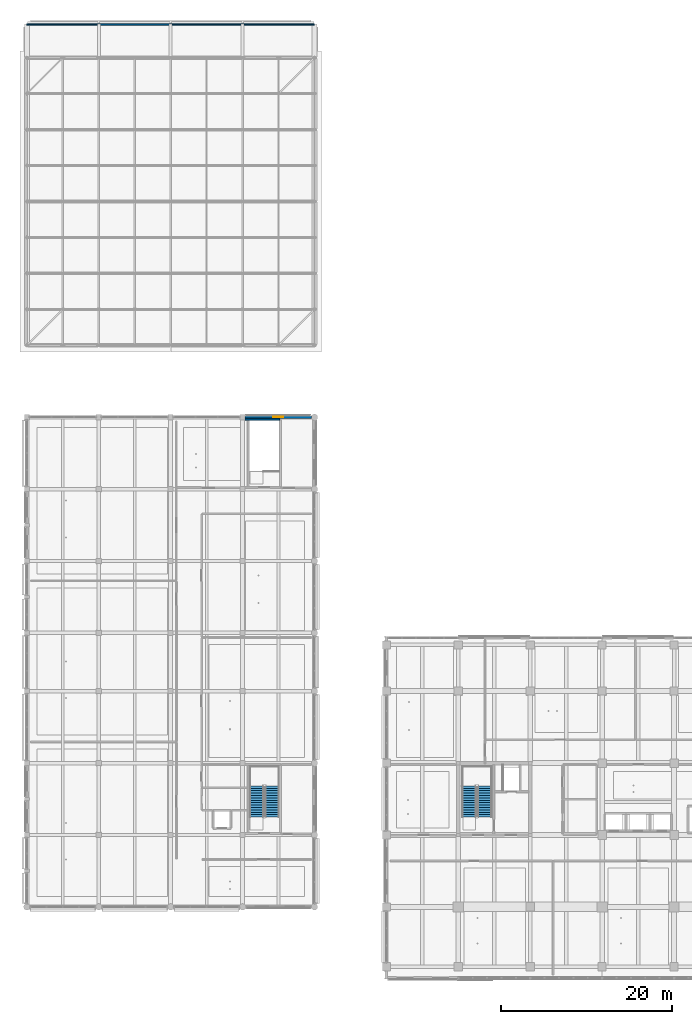
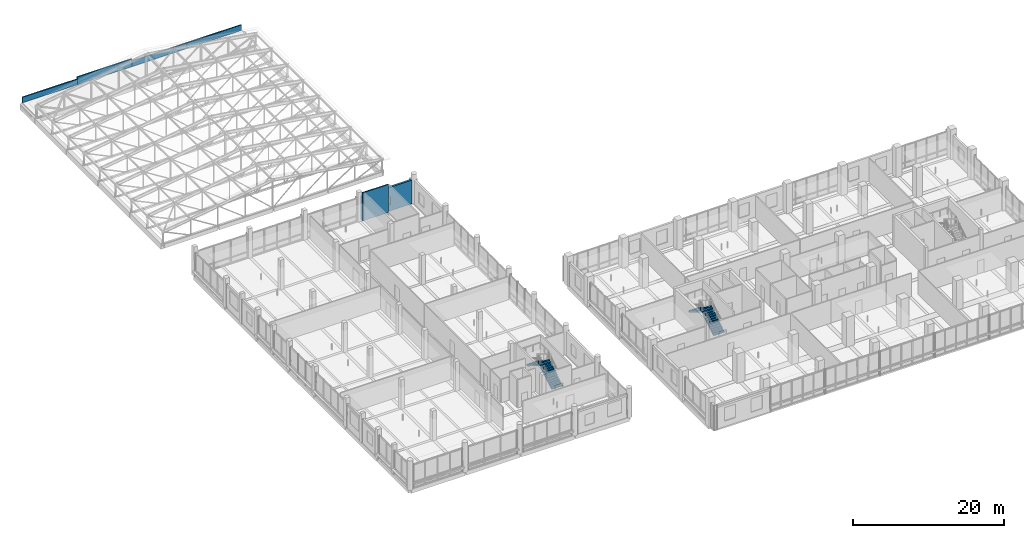
# One storey, part 58 of 122: 6 walls, 4 stair flights, 1 window, 1 opening, 2 elements without a shape of their own.
"""IFC4 building model written with IfcOpenShell, lengths in metres."""

import ifcopenshell
import ifcopenshell.guid

model = None  # the IFC model being written
_history = None  # IfcOwnerHistory: only IFC2X3 demands one
_inside = {}  # id of a spatial element -> (the spatial element, [elements in it])
_under = {}  # id of a project, library or spatial element -> (it, [spatial elements below it])
_declared = {}  # id of a project -> (the project, [libraries it declares])
_typed = {}  # id of a type object -> (the type object, [elements of that type])
_made_of = {}  # id of a material, layer set ... -> (it, [elements and type objects made of it])


def new_model(schema):
    """Start an empty IFC model of exactly this schema.

    Asked for "IFC4X3", IfcOpenShell would pick the latest addendum, in which some entities
    have other attributes; the version numbers below select the first issue.
    IFC2X3 requires an IfcOwnerHistory on every rooted entity: one is made here for all.
    """
    global model, _history
    if schema == "IFC4X3":
        model = ifcopenshell.file(schema_version=(4, 3, 0, 0))
    else:
        model = ifcopenshell.file(schema=schema)
    _inside.clear()
    _under.clear()
    _declared.clear()
    _typed.clear()
    _made_of.clear()
    _history = None
    if model.schema == "IFC2X3":
        org = make("IfcOrganization", Name="unknown")
        user = make(
            "IfcPersonAndOrganization",
            ThePerson=make("IfcPerson", FamilyName="unknown"),
            TheOrganization=org,
        )
        app = make(
            "IfcApplication",
            ApplicationDeveloper=org,
            Version="unknown",
            ApplicationFullName="unknown",
            ApplicationIdentifier="unknown",
        )
        _history = make(
            "IfcOwnerHistory",
            OwningUser=user,
            OwningApplication=app,
            ChangeAction="ADDED",
            CreationDate=0,
        )
    return model


def make(cls, **values):
    """One entity of the class cls with the attributes given. An attribute that is None is left unset."""
    return model.create_entity(
        cls, **{name: value for name, value in values.items() if value is not None}
    )


def rooted(cls, **values):
    """An entity with a GlobalId (a new one), such as an element, a storey or a relation."""
    return make(cls, GlobalId=ifcopenshell.guid.new(), OwnerHistory=_history, **values)


def si_unit(unit_type, name, prefix=None):
    """IfcSIUnit, for example si_unit("LENGTHUNIT", "METRE", prefix="MILLI")."""
    return make("IfcSIUnit", UnitType=unit_type, Prefix=prefix, Name=name)


def assignment(units):
    """IfcUnitAssignment: the units of a project."""
    return None if units is None else make("IfcUnitAssignment", Units=units)


def point(xyz):
    """IfcCartesianPoint."""
    return None if xyz is None else make("IfcCartesianPoint", Coordinates=xyz)


def direction(xyz):
    """IfcDirection."""
    return None if xyz is None else make("IfcDirection", DirectionRatios=xyz)


def frame(location, z_axis=None, x_axis=None):
    """IfcAxis2Placement3D, a coordinate frame: its origin and axes. An axis left out is left unset."""
    return make(
        "IfcAxis2Placement3D",
        Location=point(location),
        Axis=direction(z_axis),
        RefDirection=direction(x_axis),
    )


def frame_2d(location, x_axis=None):
    """IfcAxis2Placement2D, a coordinate frame in the plane: its origin and x axis."""
    return make(
        "IfcAxis2Placement2D", Location=point(location), RefDirection=direction(x_axis)
    )


def origin():
    """The frame at (0, 0, 0) with its axes left unset."""
    return frame((0.0, 0.0, 0.0))


def place(relative_to, where):
    """IfcLocalPlacement: puts the frame where relative to a parent placement (None: the world)."""
    return make(
        "IfcLocalPlacement", PlacementRelTo=relative_to, RelativePlacement=where
    )


def context(
    kind, dimensions, precision=None, world=None, true_north=None, identifier=None
):
    """IfcGeometricRepresentationContext, for example the 3D "Model" context."""
    return make(
        "IfcGeometricRepresentationContext",
        ContextIdentifier=identifier,
        ContextType=kind,
        CoordinateSpaceDimension=dimensions,
        Precision=precision,
        WorldCoordinateSystem=world,
        TrueNorth=true_north,
    )


def subcontext(parent, identifier, kind, view, scale=None):
    """IfcGeometricRepresentationSubContext, for example "Body" below "Model"."""
    return make(
        "IfcGeometricRepresentationSubContext",
        ContextIdentifier=identifier,
        ContextType=kind,
        ParentContext=parent,
        TargetScale=scale,
        TargetView=view,
    )


def project(units=None, contexts=None):
    """IfcProject with its units and contexts."""
    return rooted(
        "IfcProject",
        Name="project",
        RepresentationContexts=contexts,
        UnitsInContext=assignment(units),
    )


def spatial(cls, under=None, at=None, **own):
    """A site, building, storey or space (cls), placed at a placement, below another one or the project."""
    s = rooted(cls, ObjectPlacement=at, **own)
    if under is not None:
        _under.setdefault(under.id(), (under, []))[1].append(s)
    return s


def polyline(points):
    """IfcPolyline through the points."""
    return make("IfcPolyline", Points=[point(p) for p in points])


def profile(cls, at=None, kind="AREA", **sizes):
    """A parametric profile (cls). Its sizes go by their IFC names, for example OverallWidth=200.0."""
    return make(cls, ProfileType=kind, Position=at, **sizes)


def rectangle(**sizes):
    """IfcRectangleProfileDef."""
    return profile("IfcRectangleProfileDef", **sizes)


def outline(outer, holes=None, kind="AREA"):
    """IfcArbitraryClosedProfileDef: a profile drawn as a closed curve; with holes, ...WithVoids."""
    if holes is None:
        return make("IfcArbitraryClosedProfileDef", ProfileType=kind, OuterCurve=outer)
    return make(
        "IfcArbitraryProfileDefWithVoids",
        ProfileType=kind,
        OuterCurve=outer,
        InnerCurves=holes,
    )


def extrude(swept, where, along, depth):
    """IfcExtrudedAreaSolid: the profile swept, set in the frame where, extruded along a direction by depth."""
    return make(
        "IfcExtrudedAreaSolid",
        SweptArea=swept,
        Position=where,
        ExtrudedDirection=direction(along),
        Depth=depth,
    )


def shape(context_of_items, identifier, shape_type, items):
    """IfcShapeRepresentation: the items that make up one representation, for example the "Body"."""
    return make(
        "IfcShapeRepresentation",
        ContextOfItems=context_of_items,
        RepresentationIdentifier=identifier,
        RepresentationType=shape_type,
        Items=items,
    )


def material(Name=None, Category=None):
    """IfcMaterial."""
    return make("IfcMaterial", Name=Name, Category=Category)


def layer(
    of_material, thickness, ventilated=None, Name=None, Category=None, Priority=None
):
    """IfcMaterialLayer: one layer of a wall or slab, of a material (None: an air gap)."""
    return make(
        "IfcMaterialLayer",
        Material=of_material,
        LayerThickness=thickness,
        IsVentilated=ventilated,
        Name=Name,
        Category=Category,
        Priority=Priority,
    )


def layer_set(layers, Name=None):
    """IfcMaterialLayerSet."""
    return make("IfcMaterialLayerSet", MaterialLayers=layers, LayerSetName=Name)


def made_of(thing, what):
    """Note that an element or type object is made of a material, layer set ...; save() writes the relation."""
    if what is not None:
        _made_of.setdefault(what.id(), (what, []))[1].append(thing)
    return thing


def type_object(cls, material=None, **own):
    """A type object (cls), such as IfcWallType, which elements share."""
    return made_of(rooted(cls, **own), material)


def element(
    cls,
    number,
    at=None,
    inside=None,
    cuts=None,
    type_object=None,
    material=None,
    context=None,
    identifier="Body",
    shape_type=None,
    held_by="IfcProductDefinitionShape",
    body=None,
    shapes=None,
    **own,
):
    """One element of the class cls, such as IfcWall. Its Tag is "e" and its number.

    at: its placement. inside: the storey or other place that contains it. cuts: it is an
    opening in that element (IfcRelVoidsElement). A single representation is given by context,
    identifier, shape_type and body (its items); several are given by shapes. held_by: the class
    of the entity that holds the representations. save() writes the other relations.
    """
    e = rooted(cls, Tag="e%d" % number, ObjectPlacement=at, **own)
    if body is not None:
        shapes = [shape(context, identifier, shape_type, body)]
    if shapes is not None:
        e.Representation = make(held_by, Representations=shapes)
    if inside is not None:
        _inside.setdefault(inside.id(), (inside, []))[1].append(e)
    if cuts is not None:
        rooted(
            "IfcRelVoidsElement", RelatingBuildingElement=cuts, RelatedOpeningElement=e
        )
    if type_object is not None:
        _typed.setdefault(type_object.id(), (type_object, []))[1].append(e)
    return made_of(e, material)


def fill(opening, filler):
    """IfcRelFillsElement: the door or window that sits in an opening."""
    return rooted(
        "IfcRelFillsElement",
        RelatingOpeningElement=opening,
        RelatedBuildingElement=filler,
    )


def aggregate(whole, parts):
    """IfcRelAggregates: a whole, such as a stair, and the parts it consists of."""
    return rooted("IfcRelAggregates", RelatingObject=whole, RelatedObjects=parts)


def save(model, path):
    """Write the relations noted so far, then the file.

    IfcRelAggregates (storeys below a building ...), IfcRelContainedInSpatialStructure (elements
    in a storey), IfcRelDefinesByType, IfcRelAssociatesMaterial and IfcRelDeclares: one each for
    every whole, place, type object, material and project.
    """
    for whole, parts in _under.values():
        aggregate(whole, parts)
    for where, things in _inside.values():
        rooted(
            "IfcRelContainedInSpatialStructure",
            RelatedElements=things,
            RelatingStructure=where,
        )
    for kind, things in _typed.values():
        rooted("IfcRelDefinesByType", RelatedObjects=things, RelatingType=kind)
    for what, things in _made_of.values():
        rooted("IfcRelAssociatesMaterial", RelatedObjects=things, RelatingMaterial=what)
    for by, libraries in _declared.values():
        rooted("IfcRelDeclares", RelatingContext=by, RelatedDefinitions=libraries)
    model.write(path)


model = new_model("IFC4")

# Units and contexts
model_context = context("Model", 3, precision=1e-05, world=origin(), true_north=direction((0.0, 1.0)))
body_context = subcontext(model_context, "Body", "Model", "MODEL_VIEW")
ifc_project = project(units=[si_unit("LENGTHUNIT", "METRE"), si_unit("AREAUNIT", "SQUARE_METRE"), si_unit("VOLUMEUNIT", "CUBIC_METRE"), si_unit("PLANEANGLEUNIT", "RADIAN"), si_unit("MASSUNIT", "GRAM", prefix="KILO")], contexts=[model_context])

# Site, building, storey
site_placement = place(None, origin())
site = spatial("IfcSite", under=ifc_project, at=site_placement, CompositionType="ELEMENT")
building_placement = place(site_placement, origin())
building = spatial("IfcBuilding", under=site, at=building_placement, Name="Telukmera Botanical Conservatory", CompositionType="ELEMENT")
storey_placement = place(building_placement, frame((0.0, 0.0, 10.199951171875)))
storey = spatial("IfcBuildingStorey", under=building, at=storey_placement, Name="L02", CompositionType="ELEMENT", Elevation=10.199951171875)

# Wall, opening, window
ifc_material_1 = material(Name="Terracotta-faced precast concrete C40/50", Category="masonry")
ifc_layer_1 = layer(ifc_material_1, 0.300048828125)
ifc_layer_set_1 = layer_set([ifc_layer_1], Name="Terracotta-faced precast concrete C40/50")
wall_type_1 = type_object("IfcWallType", Name="Exterior Polychrome Terracotta Precast Wall 300", PredefinedType="SOLIDWALL", material=ifc_layer_set_1)
wall_1_placement = place(storey_placement, frame((33.902099609375, 74.800048828125, 0.0), z_axis=(0.0, 0.0, 1.0), x_axis=(1.0, 0.0, 0.0)))
wall_1 = element("IfcWall", 1, at=wall_1_placement, inside=storey, type_object=wall_type_1, Name="Exterior Precast Wall EW02 V3:L02:N4", PredefinedType="SOLIDWALL", context=body_context, shape_type="SweptSolid", body=[
    extrude(rectangle(XDim=7.720947265625, YDim=0.300048828125, at=frame_2d((3.8603515625, 0.0))), origin(), (0.0, 0.0, 1.0), 3.85009765625),
])
opening_placement = place(wall_1_placement, frame((3.260498046875, 0.0, 1.10009765625)))
opening = element("IfcOpeningElement", 2, at=opening_placement, cuts=wall_1, Name="Opening W03", PredefinedType="OPENING", context=body_context, shape_type="SweptSolid", body=[
    extrude(rectangle(XDim=1.199951171875, YDim=1.199951171875, at=frame_2d((0.60009765625, 0.60009765625))), frame((0.0, 0.159912109375, 0.0), z_axis=(0.0, -1.0, 0.0), x_axis=(1.0, 0.0, 0.0)), (0.0, 0.0, 1.0), 0.320068359375),
])
ifc_material_2 = material(Name="Thermally broken anodised aluminium frame with low-E double glazing", Category="aluminium")
window_type = type_object("IfcWindowType", Name="Postmodern Square Ocular Feature Window 1200x1200", PartitioningType="SINGLE_PANEL", PredefinedType="WINDOW", material=ifc_material_2)
window_placement = place(opening_placement, origin())
window = element("IfcWindow", 3, at=window_placement, inside=storey, type_object=window_type, Name="Facade Window W03 V3:L02:N4", OverallHeight=1.199951171875, OverallWidth=1.199951171875, PartitioningType="SINGLE_PANEL", PredefinedType="WINDOW", context=body_context, shape_type="SweptSolid", body=[
    extrude(rectangle(XDim=1.199951171875, YDim=1.199951171875, at=frame_2d((0.60009765625, 0.60009765625))), frame((0.0, 0.030029296875, 0.0), z_axis=(0.0, -1.0, 0.0), x_axis=(1.0, 0.0, 0.0)), (0.0, 0.0, 1.0), 0.06005859375),
])
fill(opening, window)

# Walls
ifc_layer_2 = layer(ifc_material_1, 0.179931640625)
ifc_layer_set_2 = layer_set([ifc_layer_2], Name="Terracotta-faced precast concrete C40/50")
wall_type_2 = type_object("IfcWallType", Name="Postmodern Polychrome Podium Parapet Wall 180", PredefinedType="PARAPET", material=ifc_layer_set_2)
wall_2_placement = place(storey_placement, frame((8.402099609375, 120.64990234375, 0.16015625), z_axis=(0.0, 0.0, 1.0), x_axis=(1.0, 0.0, 0.0)))
element("IfcWall", 4, at=wall_2_placement, inside=storey, type_object=wall_type_2, Name="Stepped Roof Parapet PW02 V2:L02:PN 1", PredefinedType="PARAPET", context=body_context, shape_type="SweptSolid", body=[
    extrude(rectangle(XDim=8.39599609375, YDim=0.179931640625, at=frame_2d((4.197998046875, 0.0))), origin(), (0.0, 0.0, 1.0), 0.889892578125),
])
wall_3_placement = place(storey_placement, frame((16.802001953125, 120.64990234375, 0.16015625), z_axis=(0.0, 0.0, 1.0), x_axis=(1.0, 0.0, 0.0)))
element("IfcWall", 5, at=wall_3_placement, inside=storey, type_object=wall_type_2, Name="Stepped Roof Parapet PW02 V2:L02:PN 2", PredefinedType="PARAPET", context=body_context, shape_type="SweptSolid", body=[
    extrude(rectangle(XDim=8.39599609375, YDim=0.179931640625, at=frame_2d((4.197998046875, 0.0))), origin(), (0.0, 0.0, 1.0), 1.239990234375),
])
for number, where, z_axis, x_axis, name in (
    (6, (25.201904296875, 120.64990234375, 0.16015625), (0.0, 0.0, 1.0), (1.0, 0.0, 0.0), "Stepped Roof Parapet PW02 V2:L02:PN 3"),
    (7, (33.60205078125, 120.64990234375, 0.16015625), (0.0, 0.0, 1.0), (1.0, 0.0, 0.0), "Stepped Roof Parapet PW02 V2:L02:PN 4"),
):
    element("IfcWall", number, at=place(storey_placement, frame(where, z_axis=z_axis, x_axis=x_axis)), inside=storey, type_object=wall_type_2, Name=name, PredefinedType="PARAPET", context=body_context, shape_type="SweptSolid", body=[
        extrude(rectangle(XDim=8.39599609375, YDim=0.179931640625, at=frame_2d((4.197998046875, 0.0))), origin(), (0.0, 0.0, 1.0), 0.889892578125),
    ])
ifc_material_3 = material(Name="Concrete C40/50", Category="concrete")
ifc_layer_3 = layer(ifc_material_3, 0.18994140625)
ifc_layer_set_3 = layer_set([ifc_layer_3], Name="Concrete C40/50")
wall_type_3 = type_object("IfcWallType", Name="WT-STAIR-190", PredefinedType="SOLIDWALL", material=ifc_layer_set_3)
wall_4_placement = place(storey_placement, frame((33.89990234375, 74.56005859375, 0.0), z_axis=(0.0, 0.0, 1.0), x_axis=(1.0, 0.0, 0.0)))
element("IfcWall", 8, at=wall_4_placement, inside=storey, type_object=wall_type_3, Name="L02 Stair ST4 North Wall", PredefinedType="SOLIDWALL", context=body_context, shape_type="SweptSolid", body=[
    extrude(rectangle(XDim=4.030029296875, YDim=0.18994140625, at=frame_2d((2.01513671875, 0.0))), origin(), (0.0, 0.0, 1.0), 4.550048828125),
])

# Stair, stair flights
stair_type = type_object("IfcStairType", Name="ST-ESC-4800", PredefinedType="HALF_TURN_STAIR", material=ifc_material_3)
stair_1_placement = place(storey_placement, origin())
stair_1 = element("IfcStair", 9, at=stair_1_placement, inside=storey, type_object=stair_type, Name="L02 Protected Escape Stair ST1", PredefinedType="HALF_TURN_STAIR")
stair_flight_type = type_object("IfcStairFlightType", Name="SF-ESC-4800", PredefinedType="STRAIGHT", material=ifc_material_3)
stair_flight_1_placement = place(storey_placement, frame((61.89990234375, 28.090087890625, 0.0), z_axis=(0.0, 0.0, 1.0), x_axis=(0.0, 1.0, 0.0)))
stair_flight_1 = element("IfcStairFlight", 10, at=stair_flight_1_placement, type_object=stair_flight_type, Name="ST1 flight 1", NumberOfRisers=14, NumberOfTreads=13, PredefinedType="STRAIGHT", RiserHeight=0.171428571, TreadLength=0.28, context=body_context, shape_type="SweptSolid", body=[
    extrude(outline(polyline([(0.0, 0.0), (0.0, 0.17138671875), (0.280029296875, 0.17138671875), (0.280029296875, 0.3427734375), (0.56005859375, 0.3427734375), (0.56005859375, 0.514404296875), (0.840087890625, 0.514404296875), (0.840087890625, 0.685791015625), (1.1201171875, 0.685791015625), (1.1201171875, 0.857177734375), (1.39990234375, 0.857177734375), (1.39990234375, 1.028564453125), (1.679931640625, 1.028564453125), (1.679931640625, 1.199951171875), (1.9599609375, 1.199951171875), (1.9599609375, 1.371337890625), (2.239990234375, 1.371337890625), (2.239990234375, 1.54296875), (2.52001953125, 1.54296875), (2.52001953125, 1.71435546875), (2.800048828125, 1.71435546875), (2.800048828125, 1.8857421875), (3.080078125, 1.8857421875), (3.080078125, 2.05712890625), (3.360107421875, 2.05712890625), (3.360107421875, 2.228515625), (3.639892578125, 2.228515625), (3.639892578125, 2.39990234375), (3.639892578125, 2.041015625), (0.30615234375, 0.0), (0.0, 0.0)])), frame((0.0, 0.830078125, 0.0), z_axis=(0.0, -1.0, 0.0), x_axis=(1.0, 0.0, 0.0)), (0.0, 0.0, 1.0), 1.659912109375),
])
stair_flight_2_placement = place(storey_placement, frame((60.080078125, 31.72998046875, 2.400146484375), z_axis=(0.0, 0.0, 1.0), x_axis=(0.0, -1.0, 0.0)))
stair_flight_2 = element("IfcStairFlight", 11, at=stair_flight_2_placement, type_object=stair_flight_type, Name="ST1 flight 2", NumberOfRisers=14, NumberOfTreads=13, PredefinedType="STRAIGHT", RiserHeight=0.171428571, TreadLength=0.28, context=body_context, shape_type="SweptSolid", body=[
    extrude(outline(polyline([(0.0, 0.0), (0.0, 0.17138671875), (0.280029296875, 0.17138671875), (0.280029296875, 0.3427734375), (0.56005859375, 0.3427734375), (0.56005859375, 0.514404296875), (0.840087890625, 0.514404296875), (0.840087890625, 0.685791015625), (1.1201171875, 0.685791015625), (1.1201171875, 0.857177734375), (1.39990234375, 0.857177734375), (1.39990234375, 1.028564453125), (1.679931640625, 1.028564453125), (1.679931640625, 1.199951171875), (1.9599609375, 1.199951171875), (1.9599609375, 1.371337890625), (2.239990234375, 1.371337890625), (2.239990234375, 1.54296875), (2.52001953125, 1.54296875), (2.52001953125, 1.71435546875), (2.800048828125, 1.71435546875), (2.800048828125, 1.8857421875), (3.080078125, 1.8857421875), (3.080078125, 2.05712890625), (3.360107421875, 2.05712890625), (3.360107421875, 2.228515625), (3.639892578125, 2.228515625), (3.639892578125, 2.39990234375), (3.639892578125, 2.041015625), (0.30615234375, 0.0), (0.0, 0.0)])), frame((0.0, 0.830078125, 0.0), z_axis=(0.0, -1.0, 0.0), x_axis=(1.0, 0.0, 0.0)), (0.0, 0.0, 1.0), 1.659912109375),
])
aggregate(stair_1, [stair_flight_1, stair_flight_2])

stair_2_placement = place(storey_placement, origin())
stair_2 = element("IfcStair", 12, at=stair_2_placement, inside=storey, type_object=stair_type, Name="L02 Protected Escape Stair ST3", PredefinedType="HALF_TURN_STAIR")
stair_flight_3_placement = place(storey_placement, frame((37.050048828125, 28.090087890625, 0.0), z_axis=(0.0, 0.0, 1.0), x_axis=(0.0, 1.0, 0.0)))
stair_flight_3 = element("IfcStairFlight", 13, at=stair_flight_3_placement, type_object=stair_flight_type, Name="ST3 flight 1", NumberOfRisers=14, NumberOfTreads=13, PredefinedType="STRAIGHT", RiserHeight=0.171428571, TreadLength=0.28, context=body_context, shape_type="SweptSolid", body=[
    extrude(outline(polyline([(0.0, 0.0), (0.0, 0.17138671875), (0.280029296875, 0.17138671875), (0.280029296875, 0.3427734375), (0.56005859375, 0.3427734375), (0.56005859375, 0.514404296875), (0.840087890625, 0.514404296875), (0.840087890625, 0.685791015625), (1.1201171875, 0.685791015625), (1.1201171875, 0.857177734375), (1.39990234375, 0.857177734375), (1.39990234375, 1.028564453125), (1.679931640625, 1.028564453125), (1.679931640625, 1.199951171875), (1.9599609375, 1.199951171875), (1.9599609375, 1.371337890625), (2.239990234375, 1.371337890625), (2.239990234375, 1.54296875), (2.52001953125, 1.54296875), (2.52001953125, 1.71435546875), (2.800048828125, 1.71435546875), (2.800048828125, 1.8857421875), (3.080078125, 1.8857421875), (3.080078125, 2.05712890625), (3.360107421875, 2.05712890625), (3.360107421875, 2.228515625), (3.639892578125, 2.228515625), (3.639892578125, 2.39990234375), (3.639892578125, 2.041015625), (0.30615234375, 0.0), (0.0, 0.0)])), frame((0.0, 0.830078125, 0.0), z_axis=(0.0, -1.0, 0.0), x_axis=(1.0, 0.0, 0.0)), (0.0, 0.0, 1.0), 1.659912109375),
])
stair_flight_4_placement = place(storey_placement, frame((35.22998046875, 31.72998046875, 2.400146484375), z_axis=(0.0, 0.0, 1.0), x_axis=(0.0, -1.0, 0.0)))
stair_flight_4 = element("IfcStairFlight", 14, at=stair_flight_4_placement, type_object=stair_flight_type, Name="ST3 flight 2", NumberOfRisers=14, NumberOfTreads=13, PredefinedType="STRAIGHT", RiserHeight=0.171428571, TreadLength=0.28, context=body_context, shape_type="SweptSolid", body=[
    extrude(outline(polyline([(0.0, 0.0), (0.0, 0.17138671875), (0.280029296875, 0.17138671875), (0.280029296875, 0.3427734375), (0.56005859375, 0.3427734375), (0.56005859375, 0.514404296875), (0.840087890625, 0.514404296875), (0.840087890625, 0.685791015625), (1.1201171875, 0.685791015625), (1.1201171875, 0.857177734375), (1.39990234375, 0.857177734375), (1.39990234375, 1.028564453125), (1.679931640625, 1.028564453125), (1.679931640625, 1.199951171875), (1.9599609375, 1.199951171875), (1.9599609375, 1.371337890625), (2.239990234375, 1.371337890625), (2.239990234375, 1.54296875), (2.52001953125, 1.54296875), (2.52001953125, 1.71435546875), (2.800048828125, 1.71435546875), (2.800048828125, 1.8857421875), (3.080078125, 1.8857421875), (3.080078125, 2.05712890625), (3.360107421875, 2.05712890625), (3.360107421875, 2.228515625), (3.639892578125, 2.228515625), (3.639892578125, 2.39990234375), (3.639892578125, 2.041015625), (0.30615234375, 0.0), (0.0, 0.0)])), frame((0.0, 0.830078125, 0.0), z_axis=(0.0, -1.0, 0.0), x_axis=(1.0, 0.0, 0.0)), (0.0, 0.0, 1.0), 1.659912109375),
])
aggregate(stair_2, [stair_flight_3, stair_flight_4])

save(model, "model.ifc")
